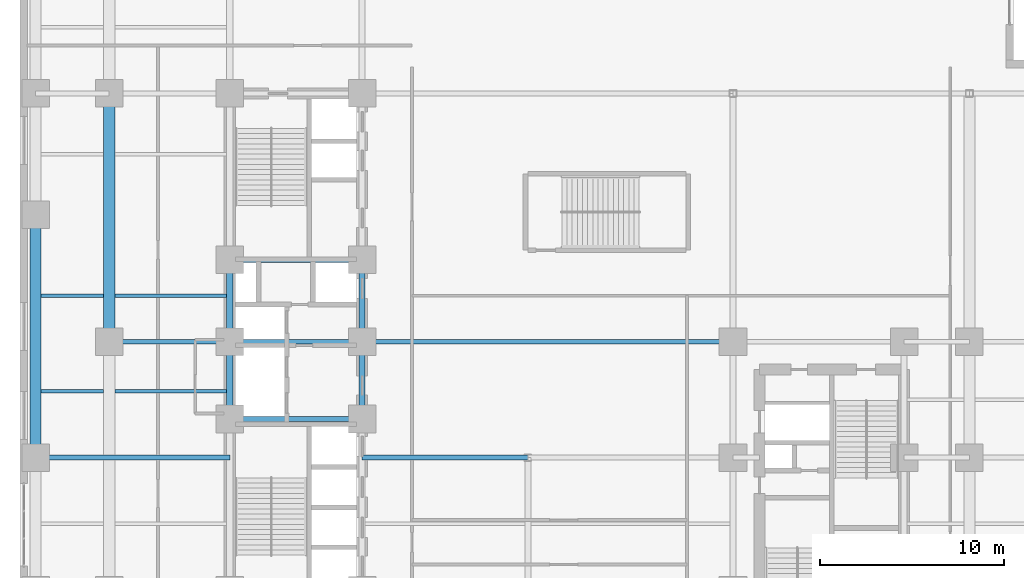
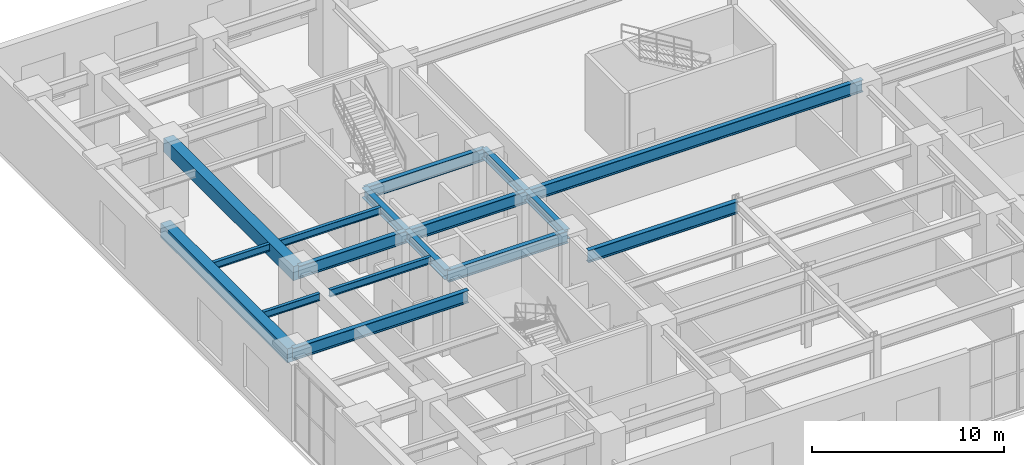
# One storey, part 9 of 23: 17 beams.
"""IFC4 building model written with IfcOpenShell, lengths in metres."""

from ifc_helpers import new_model, entity, si_unit, converted_unit, direction, frame, origin_with_axes, origin_2d_with_axis, place, context, subcontext, project, spatial, rectangle, i_section, extrude, material, material_profile, profile_set, type_object, element, save


model = new_model("IFC4")

# Units and contexts
model_context = context("Model", 3, precision=1e-05, world=origin_with_axes(), true_north=direction((0.0, 1.0)))
body_context = subcontext(model_context, "Body", "Model", "MODEL_VIEW")
ifc_project = project(units=[si_unit("LENGTHUNIT", "METRE"), si_unit("AREAUNIT", "SQUARE_METRE"), si_unit("VOLUMEUNIT", "CUBIC_METRE"), converted_unit("PLANEANGLEUNIT", "DEGREE", entity("IfcPlaneAngleMeasure", 0.017453292519943295), si_unit("PLANEANGLEUNIT", "RADIAN"), dimensions=[0, 0, 0, 0, 0, 0, 0]), si_unit("MASSUNIT", "GRAM", prefix="KILO"), si_unit("THERMODYNAMICTEMPERATUREUNIT", "KELVIN")], contexts=[model_context])

# Site, building, storey
site_placement = place(None, origin_with_axes())
site = spatial("IfcSite", under=ifc_project, at=site_placement, CompositionType="ELEMENT")
building_placement = place(site_placement, origin_with_axes())
building = spatial("IfcBuilding", under=site, at=building_placement, Name="Varnlund Millrace Tower", CompositionType="ELEMENT")
storey_placement = place(building_placement, frame((0.0, 0.0, 5.7), z_axis=(0.0, 0.0, 1.0), x_axis=(1.0, 0.0, 0.0)))
storey = spatial("IfcBuildingStorey", under=building, at=storey_placement, Name="L01", CompositionType="ELEMENT", Elevation=5.7)

# Beams
ifc_material_1 = material(Name="Steel ASTM A992 Grade 50", Category="steel")
ifc_material_profile_1 = material_profile(ifc_material_1, i_section(OverallWidth=0.328, OverallDepth=0.628, WebThickness=0.0165, FlangeThickness=0.0277, FilletRadius=0.018, at=origin_2d_with_axis()), Name="Steel ASTM A992 Grade 50")
ifc_profile_set_1 = profile_set([ifc_material_profile_1], Name="Steel ASTM A992 Grade 50")
beam_type_1 = type_object("IfcBeamType", Name="Type-Girder-W24X146", PredefinedType="USERDEFINED", material=ifc_profile_set_1)
beam_1_placement = place(storey_placement, frame((11.4, 20.1, 4.546), z_axis=(0.0, 1.0, 0.0), x_axis=(-1.0, 0.0, 0.0)))
element("IfcBeam", 1, at=beam_1_placement, inside=storey, type_object=beam_type_1, Name="Type-Girder-W24X146", ObjectType="GIRDER", PredefinedType="USERDEFINED", context=body_context, shape_type="SweptSolid", body=[
    extrude(i_section(OverallWidth=0.328, OverallDepth=0.628, WebThickness=0.0165, FlangeThickness=0.0277, FilletRadius=0.018, at=origin_2d_with_axis()), origin_with_axes(), (0.0, 0.0, 1.0), 4.2),
])
beam_2_placement = place(storey_placement, frame((11.4, 24.3, 4.546), z_axis=(0.0, 1.0, 0.0), x_axis=(-1.0, 0.0, 0.0)))
element("IfcBeam", 2, at=beam_2_placement, inside=storey, type_object=beam_type_1, Name="Type-Girder-W24X146", ObjectType="GIRDER", PredefinedType="USERDEFINED", context=body_context, shape_type="SweptSolid", body=[
    extrude(i_section(OverallWidth=0.328, OverallDepth=0.628, WebThickness=0.0165, FlangeThickness=0.0277, FilletRadius=0.018, at=origin_2d_with_axis()), origin_with_axes(), (0.0, 0.0, 1.0), 4.45),
])
beam_3_placement = place(storey_placement, frame((18.6, 20.1, 4.546), z_axis=(0.0, 1.0, 0.0), x_axis=(-1.0, 0.0, 0.0)))
element("IfcBeam", 3, at=beam_3_placement, inside=storey, type_object=beam_type_1, Name="Type-Girder-W24X146", ObjectType="GIRDER", PredefinedType="USERDEFINED", context=body_context, shape_type="SweptSolid", body=[
    extrude(i_section(OverallWidth=0.328, OverallDepth=0.628, WebThickness=0.0165, FlangeThickness=0.0277, FilletRadius=0.018, at=origin_2d_with_axis()), origin_with_axes(), (0.0, 0.0, 1.0), 4.2),
])
beam_4_placement = place(storey_placement, frame((18.6, 24.3, 4.546), z_axis=(0.0, 1.0, 0.0), x_axis=(-1.0, 0.0, 0.0)))
element("IfcBeam", 4, at=beam_4_placement, inside=storey, type_object=beam_type_1, Name="Type-Girder-W24X146", ObjectType="GIRDER", PredefinedType="USERDEFINED", context=body_context, shape_type="SweptSolid", body=[
    extrude(i_section(OverallWidth=0.328, OverallDepth=0.628, WebThickness=0.0165, FlangeThickness=0.0277, FilletRadius=0.018, at=origin_2d_with_axis()), origin_with_axes(), (0.0, 0.0, 1.0), 4.45),
])
ifc_material_profile_2 = material_profile(ifc_material_1, i_section(OverallWidth=0.266, OverallDepth=0.779, WebThickness=0.0165, FlangeThickness=0.03, FilletRadius=0.02, at=origin_2d_with_axis()), Name="Steel ASTM A992 Grade 50")
ifc_profile_set_2 = profile_set([ifc_material_profile_2], Name="Steel ASTM A992 Grade 50")
beam_type_2 = type_object("IfcBeamType", Name="Type-Girder-W30X148", PredefinedType="USERDEFINED", material=ifc_profile_set_2)
beam_5_placement = place(storey_placement, frame((0.85, 18.0, 4.4705), z_axis=(1.0, 0.0, 0.0), x_axis=(0.0, 1.0, 0.0)))
element("IfcBeam", 5, at=beam_5_placement, inside=storey, type_object=beam_type_2, Name="Type-Girder-W30X148", ObjectType="GIRDER", PredefinedType="USERDEFINED", context=body_context, shape_type="SweptSolid", body=[
    extrude(i_section(OverallWidth=0.266, OverallDepth=0.779, WebThickness=0.0165, FlangeThickness=0.03, FilletRadius=0.02, at=origin_2d_with_axis()), origin_with_axes(), (0.0, 0.0, 1.0), 10.55),
])
beam_6_placement = place(storey_placement, frame((18.6, 18.0, 4.4705), z_axis=(1.0, 0.0, 0.0), x_axis=(0.0, 1.0, 0.0)))
element("IfcBeam", 6, at=beam_6_placement, inside=storey, type_object=beam_type_2, Name="Type-Girder-W30X148", ObjectType="GIRDER", PredefinedType="USERDEFINED", context=body_context, shape_type="SweptSolid", body=[
    extrude(i_section(OverallWidth=0.266, OverallDepth=0.779, WebThickness=0.0165, FlangeThickness=0.03, FilletRadius=0.02, at=origin_2d_with_axis()), origin_with_axes(), (0.0, 0.0, 1.0), 9.0),
])
beam_7_placement = place(storey_placement, frame((11.4, 20.1, 4.4705), z_axis=(1.0, 0.0, 0.0), x_axis=(0.0, 1.0, 0.0)))
element("IfcBeam", 7, at=beam_7_placement, inside=storey, type_object=beam_type_2, Name="Type-Girder-W30X148", ObjectType="GIRDER", PredefinedType="USERDEFINED", context=body_context, shape_type="SweptSolid", body=[
    extrude(i_section(OverallWidth=0.266, OverallDepth=0.779, WebThickness=0.0165, FlangeThickness=0.03, FilletRadius=0.02, at=origin_2d_with_axis()), origin_with_axes(), (0.0, 0.0, 1.0), 7.2),
])
beam_8_placement = place(storey_placement, frame((4.85, 24.3, 4.4705), z_axis=(1.0, 0.0, 0.0), x_axis=(0.0, 1.0, 0.0)))
element("IfcBeam", 8, at=beam_8_placement, inside=storey, type_object=beam_type_2, Name="Type-Girder-W30X148", ObjectType="GIRDER", PredefinedType="USERDEFINED", context=body_context, shape_type="SweptSolid", body=[
    extrude(i_section(OverallWidth=0.266, OverallDepth=0.779, WebThickness=0.0165, FlangeThickness=0.03, FilletRadius=0.02, at=origin_2d_with_axis()), origin_with_axes(), (0.0, 0.0, 1.0), 6.55),
])
beam_9_placement = place(storey_placement, frame((11.4, 24.3, 4.4705), z_axis=(1.0, 0.0, 0.0), x_axis=(0.0, 1.0, 0.0)))
element("IfcBeam", 9, at=beam_9_placement, inside=storey, type_object=beam_type_2, Name="Type-Girder-W30X148", ObjectType="GIRDER", PredefinedType="USERDEFINED", context=body_context, shape_type="SweptSolid", body=[
    extrude(i_section(OverallWidth=0.266, OverallDepth=0.779, WebThickness=0.0165, FlangeThickness=0.03, FilletRadius=0.02, at=origin_2d_with_axis()), origin_with_axes(), (0.0, 0.0, 1.0), 7.2),
])
beam_10_placement = place(storey_placement, frame((18.6, 24.3, 4.4705), z_axis=(1.0, 0.0, 0.0), x_axis=(0.0, 1.0, 0.0)))
element("IfcBeam", 10, at=beam_10_placement, inside=storey, type_object=beam_type_2, Name="Type-Girder-W30X148", ObjectType="GIRDER", PredefinedType="USERDEFINED", context=body_context, shape_type="SweptSolid", body=[
    extrude(i_section(OverallWidth=0.266, OverallDepth=0.779, WebThickness=0.0165, FlangeThickness=0.03, FilletRadius=0.02, at=origin_2d_with_axis()), origin_with_axes(), (0.0, 0.0, 1.0), 20.15),
])
beam_11_placement = place(storey_placement, frame((11.4, 28.75, 4.4705), z_axis=(1.0, 0.0, 0.0), x_axis=(0.0, 1.0, 0.0)))
element("IfcBeam", 11, at=beam_11_placement, inside=storey, type_object=beam_type_2, Name="Type-Girder-W30X148", ObjectType="GIRDER", PredefinedType="USERDEFINED", context=body_context, shape_type="SweptSolid", body=[
    extrude(i_section(OverallWidth=0.266, OverallDepth=0.779, WebThickness=0.0165, FlangeThickness=0.03, FilletRadius=0.02, at=origin_2d_with_axis()), origin_with_axes(), (0.0, 0.0, 1.0), 7.2),
])
ifc_material_profile_3 = material_profile(ifc_material_1, i_section(OverallWidth=0.191, OverallDepth=0.457, WebThickness=0.009, FlangeThickness=0.0145, FilletRadius=0.013, at=origin_2d_with_axis()), Name="Steel ASTM A992 Grade 50")
ifc_profile_set_3 = profile_set([ifc_material_profile_3], Name="Steel ASTM A992 Grade 50")
beam_type_3 = type_object("IfcBeamType", Name="Type-Joist-W18X50", PredefinedType="JOIST", material=ifc_profile_set_3)
for number, where, z_axis, x_axis, name in (
    (12, (1.15, 21.6, 4.6315), (1.0, 0.0, 0.0), (0.0, 1.0, 0.0), "Type-Joist-W18X50"),
    (13, (1.15, 26.8, 4.6315), (1.0, 0.0, 0.0), (0.0, 1.0, 0.0), "Type-Joist-W18X50"),
):
    element("IfcBeam", number, at=place(storey_placement, frame(where, z_axis=z_axis, x_axis=x_axis)), inside=storey, type_object=beam_type_3, Name=name, PredefinedType="JOIST", context=body_context, shape_type="SweptSolid", body=[
        extrude(i_section(OverallWidth=0.191, OverallDepth=0.457, WebThickness=0.009, FlangeThickness=0.0145, FilletRadius=0.013, at=origin_2d_with_axis()), origin_with_axes(), (0.0, 0.0, 1.0), 3.4),
    ])
for number, where, z_axis, x_axis, name in (
    (14, (5.15, 21.6, 4.6315), (1.0, 0.0, 0.0), (0.0, 1.0, 0.0), "Type-Joist-W18X50"),
    (15, (5.15, 26.8, 4.6315), (1.0, 0.0, 0.0), (0.0, 1.0, 0.0), "Type-Joist-W18X50"),
):
    element("IfcBeam", number, at=place(storey_placement, frame(where, z_axis=z_axis, x_axis=x_axis)), inside=storey, type_object=beam_type_3, Name=name, PredefinedType="JOIST", context=body_context, shape_type="SweptSolid", body=[
        extrude(i_section(OverallWidth=0.191, OverallDepth=0.457, WebThickness=0.009, FlangeThickness=0.0145, FilletRadius=0.013, at=origin_2d_with_axis()), origin_with_axes(), (0.0, 0.0, 1.0), 6.086),
    ])
ifc_material_2 = material(Name="Concrete C70/85", Category="concrete")
ifc_material_profile_4 = material_profile(ifc_material_2, rectangle(XDim=0.6, YDim=0.9, at=origin_2d_with_axis()), Name="Concrete C70/85")
ifc_profile_set_4 = profile_set([ifc_material_profile_4], Name="Concrete C70/85")
beam_type_4 = type_object("IfcBeamType", Name="Type-Spandrel-RC600X900", PredefinedType="SPANDREL", material=ifc_profile_set_4)
beam_12_placement = place(storey_placement, frame((0.85, 18.0, 4.41), z_axis=(0.0, 1.0, 0.0), x_axis=(-1.0, 0.0, 0.0)))
element("IfcBeam", 16, at=beam_12_placement, inside=storey, type_object=beam_type_4, Name="Type-Spandrel-RC600X900", PredefinedType="SPANDREL", context=body_context, shape_type="SweptSolid", body=[
    extrude(rectangle(XDim=0.6, YDim=0.9, at=origin_2d_with_axis()), origin_with_axes(), (0.0, 0.0, 1.0), 13.2),
])
beam_13_placement = place(storey_placement, frame((4.85, 24.3, 4.41), z_axis=(0.0, 1.0, 0.0), x_axis=(-1.0, 0.0, 0.0)))
element("IfcBeam", 17, at=beam_13_placement, inside=storey, type_object=beam_type_4, Name="Type-Spandrel-RC600X900", PredefinedType="SPANDREL", context=body_context, shape_type="SweptSolid", body=[
    extrude(rectangle(XDim=0.6, YDim=0.9, at=origin_2d_with_axis()), origin_with_axes(), (0.0, 0.0, 1.0), 13.5),
])

save(model, "model.ifc")
